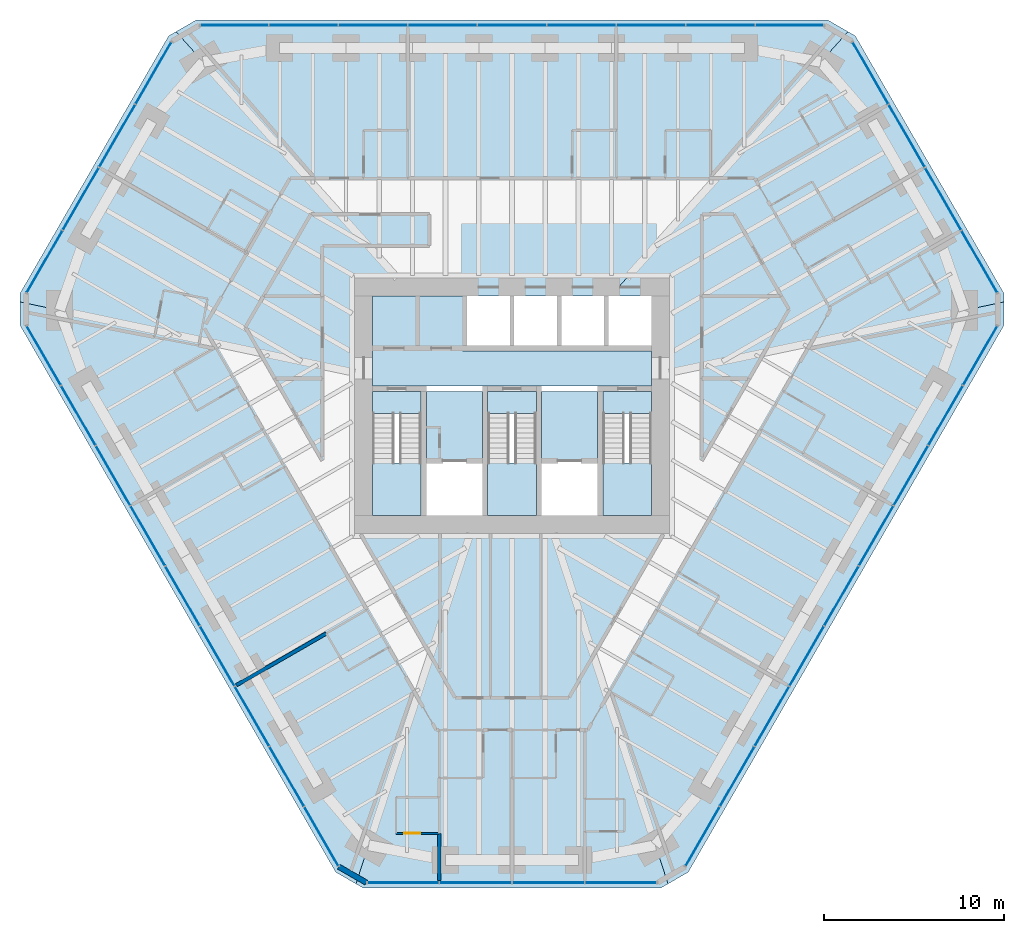
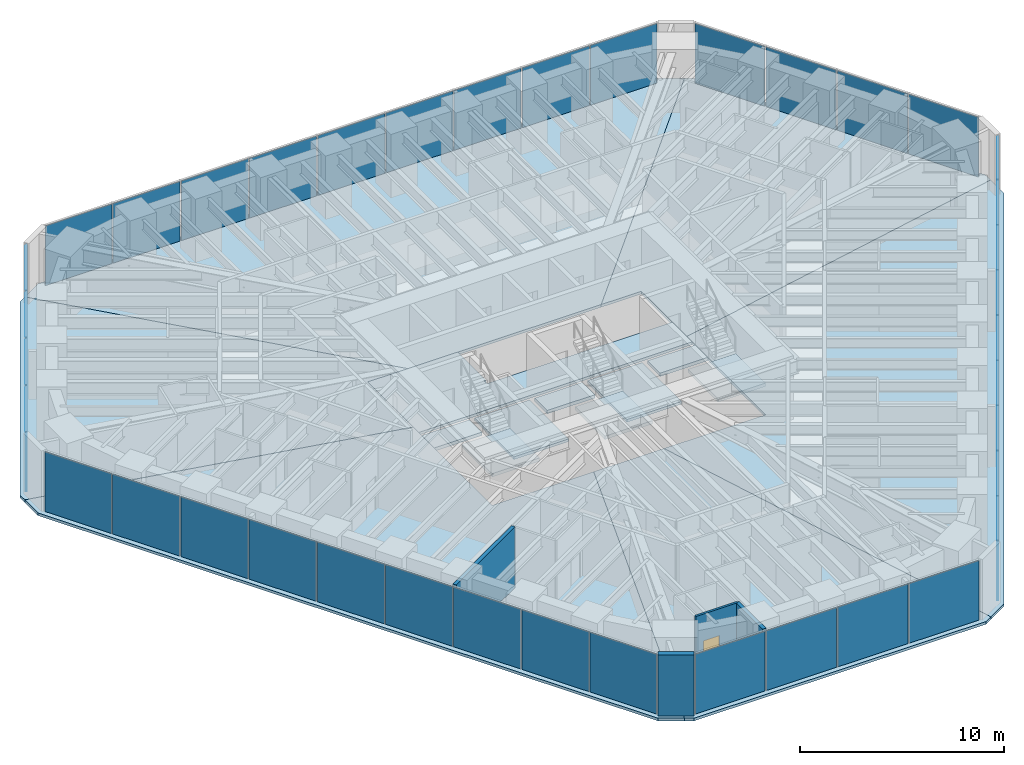
# One storey, part 10 of 17: 39 plates, 15 slabs, 4 walls, 1 door, 1 opening, 9 elements without a shape of their own.
"""IFC4 building model written with IfcOpenShell, lengths in metres."""

from ifc_helpers import new_model, si_unit, direction, frame, frame_2d, origin, origin_2d, place, context, subcontext, project, spatial, polyline, rectangle, outline, extrude, material, layer, layer_set, type_object, element, fill, aggregate, save


model = new_model("IFC4")

# Units and contexts
model_context = context("Model", 3, precision=1e-05, world=origin(), true_north=direction((0.0, 1.0)))
body_context = subcontext(model_context, "Body", "Model", "MODEL_VIEW")
ifc_project = project(units=[si_unit("LENGTHUNIT", "METRE"), si_unit("AREAUNIT", "SQUARE_METRE"), si_unit("VOLUMEUNIT", "CUBIC_METRE"), si_unit("PLANEANGLEUNIT", "RADIAN"), si_unit("MASSUNIT", "GRAM", prefix="KILO")], contexts=[model_context])

# Site, building, storey
site_placement = place(None, origin())
site = spatial("IfcSite", under=ifc_project, at=site_placement, CompositionType="ELEMENT")
building_placement = place(site_placement, origin())
building = spatial("IfcBuilding", under=site, at=building_placement, Name="Sandreach Pilgrim Tower", CompositionType="ELEMENT")
storey_placement = place(building_placement, frame((0.0, 0.0, 213.60009765625)))
storey = spatial("IfcBuildingStorey", under=building, at=storey_placement, Name="L53", CompositionType="ELEMENT", Elevation=213.60009765625)

# Curtain wall, plates
ifc_material_1 = material(Name="Aluminium framed curtain wall", Category="aluminium")
curtain_wall_type = type_object("IfcCurtainWallType", Name="Upper hotel tower curtain wall", PredefinedType="NOTDEFINED", material=ifc_material_1)
curtain_wall_1_placement = place(storey_placement, origin())
curtain_wall_1 = element("IfcCurtainWall", 1, at=curtain_wall_1_placement, inside=storey, type_object=curtain_wall_type, Name="CW-3 L53 N", PredefinedType="NOTDEFINED")
ifc_material_2 = material(Name="Insulating glass unit 12.76 laminated + 20 argon + 12.76 laminated", Category="glass")
ifc_layer_1 = layer(ifc_material_2, 0.0458984375)
ifc_layer_set_1 = layer_set([ifc_layer_1], Name="CW-3 panel")
plate_type = type_object("IfcPlateType", Name="CW-3 panel", PredefinedType="CURTAIN_PANEL", material=ifc_layer_set_1)
plate_1_placement = place(storey_placement, frame((-15.44140625, 21.16015625, 0.0), z_axis=(0.0, 0.0, 1.0), x_axis=(1.0, 0.0, 0.0)))
plate_1 = element("IfcPlate", 2, at=plate_1_placement, type_object=plate_type, Name="CW-3 panel 1", PredefinedType="CURTAIN_PANEL", context=body_context, shape_type="SweptSolid", body=[
    extrude(rectangle(XDim=3.766845703125, YDim=0.0458984375, at=origin_2d()), origin(), (0.0, 0.0, 1.0), 3.570068359375),
])
plate_2_placement = place(storey_placement, frame((-11.59326171875, 21.16015625, 0.0), z_axis=(0.0, 0.0, 1.0), x_axis=(1.0, 0.0, 0.0)))
plate_2 = element("IfcPlate", 3, at=plate_2_placement, type_object=plate_type, Name="CW-3 panel 2", PredefinedType="CURTAIN_PANEL", context=body_context, shape_type="SweptSolid", body=[
    extrude(rectangle(XDim=3.79931640625, YDim=0.0458984375, at=origin_2d()), origin(), (0.0, 0.0, 1.0), 3.570068359375),
])
plate_3_placement = place(storey_placement, frame((-7.728759765625, 21.16015625, 0.0), z_axis=(0.0, 0.0, 1.0), x_axis=(1.0, 0.0, 0.0)))
plate_3 = element("IfcPlate", 4, at=plate_3_placement, type_object=plate_type, Name="CW-3 panel 3", PredefinedType="CURTAIN_PANEL", context=body_context, shape_type="SweptSolid", body=[
    extrude(rectangle(XDim=3.79931640625, YDim=0.0458984375, at=origin_2d()), origin(), (0.0, 0.0, 1.0), 3.570068359375),
])
plate_4_placement = place(storey_placement, frame((-3.864501953125, 21.16015625, 0.0), z_axis=(0.0, 0.0, 1.0), x_axis=(1.0, 0.0, 0.0)))
plate_4 = element("IfcPlate", 5, at=plate_4_placement, type_object=plate_type, Name="CW-3 panel 4", PredefinedType="CURTAIN_PANEL", context=body_context, shape_type="SweptSolid", body=[
    extrude(rectangle(XDim=3.79931640625, YDim=0.0458984375, at=origin_2d()), origin(), (0.0, 0.0, 1.0), 3.570068359375),
])
plate_5_placement = place(storey_placement, frame((0.0, 21.16015625, 0.0), z_axis=(0.0, 0.0, 1.0), x_axis=(1.0, 0.0, 0.0)))
plate_5 = element("IfcPlate", 6, at=plate_5_placement, type_object=plate_type, Name="CW-3 panel 5", PredefinedType="CURTAIN_PANEL", context=body_context, shape_type="SweptSolid", body=[
    extrude(rectangle(XDim=3.79931640625, YDim=0.0458984375, at=origin_2d()), origin(), (0.0, 0.0, 1.0), 3.570068359375),
])
plate_6_placement = place(storey_placement, frame((3.864501953125, 21.16015625, 0.0), z_axis=(0.0, 0.0, 1.0), x_axis=(1.0, 0.0, 0.0)))
plate_6 = element("IfcPlate", 7, at=plate_6_placement, type_object=plate_type, Name="CW-3 panel 6", PredefinedType="CURTAIN_PANEL", context=body_context, shape_type="SweptSolid", body=[
    extrude(rectangle(XDim=3.79931640625, YDim=0.0458984375, at=origin_2d()), origin(), (0.0, 0.0, 1.0), 3.570068359375),
])
plate_7_placement = place(storey_placement, frame((7.728759765625, 21.16015625, 0.0), z_axis=(0.0, 0.0, 1.0), x_axis=(1.0, 0.0, 0.0)))
plate_7 = element("IfcPlate", 8, at=plate_7_placement, type_object=plate_type, Name="CW-3 panel 7", PredefinedType="CURTAIN_PANEL", context=body_context, shape_type="SweptSolid", body=[
    extrude(rectangle(XDim=3.79931640625, YDim=0.0458984375, at=origin_2d()), origin(), (0.0, 0.0, 1.0), 3.570068359375),
])
plate_8_placement = place(storey_placement, frame((11.59326171875, 21.16015625, 0.0), z_axis=(0.0, 0.0, 1.0), x_axis=(1.0, 0.0, 0.0)))
plate_8 = element("IfcPlate", 9, at=plate_8_placement, type_object=plate_type, Name="CW-3 panel 8", PredefinedType="CURTAIN_PANEL", context=body_context, shape_type="SweptSolid", body=[
    extrude(rectangle(XDim=3.79931640625, YDim=0.0458984375, at=origin_2d()), origin(), (0.0, 0.0, 1.0), 3.570068359375),
])
plate_9_placement = place(storey_placement, frame((15.44140625, 21.16015625, 0.0), z_axis=(0.0, 0.0, 1.0), x_axis=(1.0, 0.0, 0.0)))
plate_9 = element("IfcPlate", 10, at=plate_9_placement, type_object=plate_type, Name="CW-3 panel 9", PredefinedType="CURTAIN_PANEL", context=body_context, shape_type="SweptSolid", body=[
    extrude(rectangle(XDim=3.766845703125, YDim=0.0458984375, at=origin_2d()), origin(), (0.0, 0.0, 1.0), 3.570068359375),
])
aggregate(curtain_wall_1, [plate_1, plate_2, plate_3, plate_4, plate_5, plate_6, plate_7, plate_8, plate_9])

curtain_wall_2_placement = place(storey_placement, origin())
curtain_wall_2 = element("IfcCurtainWall", 11, at=curtain_wall_2_placement, inside=storey, type_object=curtain_wall_type, Name="CW-3 L53 NE", PredefinedType="NOTDEFINED")
plate_10_placement = place(storey_placement, frame((19.943115234375, 18.5078125, 0.0), z_axis=(0.0, 0.0, 1.0), x_axis=(0.5, -0.866025403784, 0.0)))
plate_10 = element("IfcPlate", 12, at=plate_10_placement, type_object=plate_type, Name="CW-3 panel 1", PredefinedType="CURTAIN_PANEL", context=body_context, shape_type="SweptSolid", body=[
    extrude(rectangle(XDim=3.951171875, YDim=0.0458984375, at=origin_2d()), origin(), (0.0, 0.0, 1.0), 3.570068359375),
])
plate_11_placement = place(storey_placement, frame((21.959228515625, 15.015625, 0.0), z_axis=(0.0, 0.0, 1.0), x_axis=(0.5, -0.866025403784, 0.0)))
plate_11 = element("IfcPlate", 13, at=plate_11_placement, type_object=plate_type, Name="CW-3 panel 2", PredefinedType="CURTAIN_PANEL", context=body_context, shape_type="SweptSolid", body=[
    extrude(rectangle(XDim=3.983642578125, YDim=0.0458984375, at=origin_2d()), origin(), (0.0, 0.0, 1.0), 3.570068359375),
])
plate_12_placement = place(storey_placement, frame((23.983642578125, 11.509521484375, 0.0), z_axis=(0.0, 0.0, 1.0), x_axis=(0.5, -0.866025403784, 0.0)))
plate_12 = element("IfcPlate", 14, at=plate_12_placement, type_object=plate_type, Name="CW-3 panel 3", PredefinedType="CURTAIN_PANEL", context=body_context, shape_type="SweptSolid", body=[
    extrude(rectangle(XDim=3.983642578125, YDim=0.0458984375, at=origin_2d()), origin(), (0.0, 0.0, 1.0), 3.570068359375),
])
plate_13_placement = place(storey_placement, frame((25.999755859375, 8.017333984375, 0.0), z_axis=(0.0, 0.0, 1.0), x_axis=(0.5, -0.866025403784, 0.0)))
plate_13 = element("IfcPlate", 15, at=plate_13_placement, type_object=plate_type, Name="CW-3 panel 4", PredefinedType="CURTAIN_PANEL", context=body_context, shape_type="SweptSolid", body=[
    extrude(rectangle(XDim=3.951171875, YDim=0.0458984375, at=origin_2d()), origin(), (0.0, 0.0, 1.0), 3.570068359375),
])
aggregate(curtain_wall_2, [plate_10, plate_11, plate_12, plate_13])

curtain_wall_3_placement = place(storey_placement, origin())
curtain_wall_3 = element("IfcCurtainWall", 16, at=curtain_wall_3_placement, inside=storey, type_object=curtain_wall_type, Name="CW-3 L53 SE", PredefinedType="NOTDEFINED")
plate_14_placement = place(storey_placement, frame((26.0458984375, 2.792724609375, 0.0), z_axis=(0.0, 0.0, 1.0), x_axis=(-0.5, -0.866025403784, 0.0)))
plate_14 = element("IfcPlate", 17, at=plate_14_placement, type_object=plate_type, Name="CW-3 panel 1", PredefinedType="CURTAIN_PANEL", context=body_context, shape_type="SweptSolid", body=[
    extrude(rectangle(XDim=3.766845703125, YDim=0.0458984375, at=origin_2d()), origin(), (0.0, 0.0, 1.0), 3.570068359375),
])
plate_15_placement = place(storey_placement, frame((24.121826171875, -0.5400390625, 0.0), z_axis=(0.0, 0.0, 1.0), x_axis=(-0.5, -0.866025403784, 0.0)))
plate_15 = element("IfcPlate", 18, at=plate_15_placement, type_object=plate_type, Name="CW-3 panel 2", PredefinedType="CURTAIN_PANEL", context=body_context, shape_type="SweptSolid", body=[
    extrude(rectangle(XDim=3.79931640625, YDim=0.0458984375, at=origin_2d()), origin(), (0.0, 0.0, 1.0), 3.570068359375),
])
plate_16_placement = place(storey_placement, frame((22.189697265625, -3.88671875, 0.0), z_axis=(0.0, 0.0, 1.0), x_axis=(-0.5, -0.866025403784, 0.0)))
plate_16 = element("IfcPlate", 19, at=plate_16_placement, type_object=plate_type, Name="CW-3 panel 3", PredefinedType="CURTAIN_PANEL", context=body_context, shape_type="SweptSolid", body=[
    extrude(rectangle(XDim=3.79931640625, YDim=0.0458984375, at=origin_2d()), origin(), (0.0, 0.0, 1.0), 3.570068359375),
])
plate_17_placement = place(storey_placement, frame((20.25732421875, -7.2333984375, 0.0), z_axis=(0.0, 0.0, 1.0), x_axis=(-0.5, -0.866025403784, 0.0)))
plate_17 = element("IfcPlate", 20, at=plate_17_placement, type_object=plate_type, Name="CW-3 panel 4", PredefinedType="CURTAIN_PANEL", context=body_context, shape_type="SweptSolid", body=[
    extrude(rectangle(XDim=3.79931640625, YDim=0.0458984375, at=origin_2d()), origin(), (0.0, 0.0, 1.0), 3.570068359375),
])
plate_18_placement = place(storey_placement, frame((18.3251953125, -10.580078125, 0.0), z_axis=(0.0, 0.0, 1.0), x_axis=(-0.5, -0.866025403784, 0.0)))
plate_18 = element("IfcPlate", 21, at=plate_18_placement, type_object=plate_type, Name="CW-3 panel 5", PredefinedType="CURTAIN_PANEL", context=body_context, shape_type="SweptSolid", body=[
    extrude(rectangle(XDim=3.79931640625, YDim=0.0458984375, at=origin_2d()), origin(), (0.0, 0.0, 1.0), 3.570068359375),
])
plate_19_placement = place(storey_placement, frame((16.39306640625, -13.9267578125, 0.0), z_axis=(0.0, 0.0, 1.0), x_axis=(-0.5, -0.866025403784, 0.0)))
plate_19 = element("IfcPlate", 22, at=plate_19_placement, type_object=plate_type, Name="CW-3 panel 6", PredefinedType="CURTAIN_PANEL", context=body_context, shape_type="SweptSolid", body=[
    extrude(rectangle(XDim=3.79931640625, YDim=0.0458984375, at=origin_2d()), origin(), (0.0, 0.0, 1.0), 3.570068359375),
])
plate_20_placement = place(storey_placement, frame((14.460693359375, -17.2734375, 0.0), z_axis=(0.0, 0.0, 1.0), x_axis=(-0.5, -0.866025403784, 0.0)))
plate_20 = element("IfcPlate", 23, at=plate_20_placement, type_object=plate_type, Name="CW-3 panel 7", PredefinedType="CURTAIN_PANEL", context=body_context, shape_type="SweptSolid", body=[
    extrude(rectangle(XDim=3.79931640625, YDim=0.0458984375, at=origin_2d()), origin(), (0.0, 0.0, 1.0), 3.570068359375),
])
plate_21_placement = place(storey_placement, frame((12.528564453125, -20.6201171875, 0.0), z_axis=(0.0, 0.0, 1.0), x_axis=(-0.5, -0.866025403784, 0.0)))
plate_21 = element("IfcPlate", 24, at=plate_21_placement, type_object=plate_type, Name="CW-3 panel 8", PredefinedType="CURTAIN_PANEL", context=body_context, shape_type="SweptSolid", body=[
    extrude(rectangle(XDim=3.79931640625, YDim=0.0458984375, at=origin_2d()), origin(), (0.0, 0.0, 1.0), 3.570068359375),
])
plate_22_placement = place(storey_placement, frame((10.6044921875, -23.95263671875, 0.0), z_axis=(0.0, 0.0, 1.0), x_axis=(-0.5, -0.866025403784, 0.0)))
plate_22 = element("IfcPlate", 25, at=plate_22_placement, type_object=plate_type, Name="CW-3 panel 9", PredefinedType="CURTAIN_PANEL", context=body_context, shape_type="SweptSolid", body=[
    extrude(rectangle(XDim=3.766845703125, YDim=0.0458984375, at=origin_2d()), origin(), (0.0, 0.0, 1.0), 3.570068359375),
])
aggregate(curtain_wall_3, [plate_14, plate_15, plate_16, plate_17, plate_18, plate_19, plate_20, plate_21, plate_22])

curtain_wall_4_placement = place(storey_placement, origin())
curtain_wall_4 = element("IfcCurtainWall", 26, at=curtain_wall_4_placement, inside=storey, type_object=curtain_wall_type, Name="CW-3 L53 S", PredefinedType="NOTDEFINED")
plate_23_placement = place(storey_placement, frame((6.056884765625, -26.525146484375, 0.0), z_axis=(0.0, 0.0, 1.0), x_axis=(-1.0, 0.0, 0.0)))
plate_23 = element("IfcPlate", 27, at=plate_23_placement, type_object=plate_type, Name="CW-3 panel 1", PredefinedType="CURTAIN_PANEL", context=body_context, shape_type="SweptSolid", body=[
    extrude(rectangle(XDim=3.951171875, YDim=0.0458984375, at=origin_2d()), origin(), (0.0, 0.0, 1.0), 3.570068359375),
])
plate_24_placement = place(storey_placement, frame((2.0244140625, -26.525146484375, 0.0), z_axis=(0.0, 0.0, 1.0), x_axis=(-1.0, 0.0, 0.0)))
plate_24 = element("IfcPlate", 28, at=plate_24_placement, type_object=plate_type, Name="CW-3 panel 2", PredefinedType="CURTAIN_PANEL", context=body_context, shape_type="SweptSolid", body=[
    extrude(rectangle(XDim=3.983642578125, YDim=0.0458984375, at=origin_2d()), origin(), (0.0, 0.0, 1.0), 3.570068359375),
])
plate_25_placement = place(storey_placement, frame((-2.0244140625, -26.525146484375, 0.0), z_axis=(0.0, 0.0, 1.0), x_axis=(-1.0, 0.0, 0.0)))
plate_25 = element("IfcPlate", 29, at=plate_25_placement, type_object=plate_type, Name="CW-3 panel 3", PredefinedType="CURTAIN_PANEL", context=body_context, shape_type="SweptSolid", body=[
    extrude(rectangle(XDim=3.983642578125, YDim=0.0458984375, at=origin_2d()), origin(), (0.0, 0.0, 1.0), 3.570068359375),
])
plate_26_placement = place(storey_placement, frame((-6.056884765625, -26.525146484375, 0.0), z_axis=(0.0, 0.0, 1.0), x_axis=(-1.0, 0.0, 0.0)))
plate_26 = element("IfcPlate", 30, at=plate_26_placement, type_object=plate_type, Name="CW-3 panel 4", PredefinedType="CURTAIN_PANEL", context=body_context, shape_type="SweptSolid", body=[
    extrude(rectangle(XDim=3.951171875, YDim=0.0458984375, at=origin_2d()), origin(), (0.0, 0.0, 1.0), 3.570068359375),
])
aggregate(curtain_wall_4, [plate_23, plate_24, plate_25, plate_26])

curtain_wall_5_placement = place(storey_placement, origin())
curtain_wall_5 = element("IfcCurtainWall", 31, at=curtain_wall_5_placement, inside=storey, type_object=curtain_wall_type, Name="CW-3 L53 SW", PredefinedType="NOTDEFINED")
plate_27_placement = place(storey_placement, frame((-10.6044921875, -23.95263671875, 0.0), z_axis=(0.0, 0.0, 1.0), x_axis=(-0.5, 0.866025403784, 0.0)))
plate_27 = element("IfcPlate", 32, at=plate_27_placement, type_object=plate_type, Name="CW-3 panel 1", PredefinedType="CURTAIN_PANEL", context=body_context, shape_type="SweptSolid", body=[
    extrude(rectangle(XDim=3.766845703125, YDim=0.0458984375, at=origin_2d()), origin(), (0.0, 0.0, 1.0), 3.570068359375),
])
plate_28_placement = place(storey_placement, frame((-12.528564453125, -20.6201171875, 0.0), z_axis=(0.0, 0.0, 1.0), x_axis=(-0.5, 0.866025403784, 0.0)))
plate_28 = element("IfcPlate", 33, at=plate_28_placement, type_object=plate_type, Name="CW-3 panel 2", PredefinedType="CURTAIN_PANEL", context=body_context, shape_type="SweptSolid", body=[
    extrude(rectangle(XDim=3.79931640625, YDim=0.0458984375, at=origin_2d()), origin(), (0.0, 0.0, 1.0), 3.570068359375),
])
plate_29_placement = place(storey_placement, frame((-14.460693359375, -17.2734375, 0.0), z_axis=(0.0, 0.0, 1.0), x_axis=(-0.5, 0.866025403784, 0.0)))
plate_29 = element("IfcPlate", 34, at=plate_29_placement, type_object=plate_type, Name="CW-3 panel 3", PredefinedType="CURTAIN_PANEL", context=body_context, shape_type="SweptSolid", body=[
    extrude(rectangle(XDim=3.79931640625, YDim=0.0458984375, at=origin_2d()), origin(), (0.0, 0.0, 1.0), 3.570068359375),
])
plate_30_placement = place(storey_placement, frame((-16.39306640625, -13.9267578125, 0.0), z_axis=(0.0, 0.0, 1.0), x_axis=(-0.5, 0.866025403784, 0.0)))
plate_30 = element("IfcPlate", 35, at=plate_30_placement, type_object=plate_type, Name="CW-3 panel 4", PredefinedType="CURTAIN_PANEL", context=body_context, shape_type="SweptSolid", body=[
    extrude(rectangle(XDim=3.79931640625, YDim=0.0458984375, at=origin_2d()), origin(), (0.0, 0.0, 1.0), 3.570068359375),
])
plate_31_placement = place(storey_placement, frame((-18.3251953125, -10.580078125, 0.0), z_axis=(0.0, 0.0, 1.0), x_axis=(-0.5, 0.866025403784, 0.0)))
plate_31 = element("IfcPlate", 36, at=plate_31_placement, type_object=plate_type, Name="CW-3 panel 5", PredefinedType="CURTAIN_PANEL", context=body_context, shape_type="SweptSolid", body=[
    extrude(rectangle(XDim=3.79931640625, YDim=0.0458984375, at=origin_2d()), origin(), (0.0, 0.0, 1.0), 3.570068359375),
])
plate_32_placement = place(storey_placement, frame((-20.25732421875, -7.2333984375, 0.0), z_axis=(0.0, 0.0, 1.0), x_axis=(-0.5, 0.866025403784, 0.0)))
plate_32 = element("IfcPlate", 37, at=plate_32_placement, type_object=plate_type, Name="CW-3 panel 6", PredefinedType="CURTAIN_PANEL", context=body_context, shape_type="SweptSolid", body=[
    extrude(rectangle(XDim=3.79931640625, YDim=0.0458984375, at=origin_2d()), origin(), (0.0, 0.0, 1.0), 3.570068359375),
])
plate_33_placement = place(storey_placement, frame((-22.189697265625, -3.88671875, 0.0), z_axis=(0.0, 0.0, 1.0), x_axis=(-0.5, 0.866025403784, 0.0)))
plate_33 = element("IfcPlate", 38, at=plate_33_placement, type_object=plate_type, Name="CW-3 panel 7", PredefinedType="CURTAIN_PANEL", context=body_context, shape_type="SweptSolid", body=[
    extrude(rectangle(XDim=3.79931640625, YDim=0.0458984375, at=origin_2d()), origin(), (0.0, 0.0, 1.0), 3.570068359375),
])
plate_34_placement = place(storey_placement, frame((-24.121826171875, -0.5400390625, 0.0), z_axis=(0.0, 0.0, 1.0), x_axis=(-0.5, 0.866025403784, 0.0)))
plate_34 = element("IfcPlate", 39, at=plate_34_placement, type_object=plate_type, Name="CW-3 panel 8", PredefinedType="CURTAIN_PANEL", context=body_context, shape_type="SweptSolid", body=[
    extrude(rectangle(XDim=3.79931640625, YDim=0.0458984375, at=origin_2d()), origin(), (0.0, 0.0, 1.0), 3.570068359375),
])
plate_35_placement = place(storey_placement, frame((-26.0458984375, 2.792724609375, 0.0), z_axis=(0.0, 0.0, 1.0), x_axis=(-0.5, 0.866025403784, 0.0)))
plate_35 = element("IfcPlate", 40, at=plate_35_placement, type_object=plate_type, Name="CW-3 panel 9", PredefinedType="CURTAIN_PANEL", context=body_context, shape_type="SweptSolid", body=[
    extrude(rectangle(XDim=3.766845703125, YDim=0.0458984375, at=origin_2d()), origin(), (0.0, 0.0, 1.0), 3.570068359375),
])
aggregate(curtain_wall_5, [plate_27, plate_28, plate_29, plate_30, plate_31, plate_32, plate_33, plate_34, plate_35])

curtain_wall_6_placement = place(storey_placement, origin())
curtain_wall_6 = element("IfcCurtainWall", 41, at=curtain_wall_6_placement, inside=storey, type_object=curtain_wall_type, Name="CW-3 L53 NW", PredefinedType="NOTDEFINED")
plate_36_placement = place(storey_placement, frame((-25.999755859375, 8.017333984375, 0.0), z_axis=(0.0, 0.0, 1.0), x_axis=(0.5, 0.866025403784, 0.0)))
plate_36 = element("IfcPlate", 42, at=plate_36_placement, type_object=plate_type, Name="CW-3 panel 1", PredefinedType="CURTAIN_PANEL", context=body_context, shape_type="SweptSolid", body=[
    extrude(rectangle(XDim=3.951171875, YDim=0.0458984375, at=origin_2d()), origin(), (0.0, 0.0, 1.0), 3.570068359375),
])
plate_37_placement = place(storey_placement, frame((-23.983642578125, 11.509521484375, 0.0), z_axis=(0.0, 0.0, 1.0), x_axis=(0.5, 0.866025403784, 0.0)))
plate_37 = element("IfcPlate", 43, at=plate_37_placement, type_object=plate_type, Name="CW-3 panel 2", PredefinedType="CURTAIN_PANEL", context=body_context, shape_type="SweptSolid", body=[
    extrude(rectangle(XDim=3.983642578125, YDim=0.0458984375, at=origin_2d()), origin(), (0.0, 0.0, 1.0), 3.570068359375),
])
plate_38_placement = place(storey_placement, frame((-21.959228515625, 15.015625, 0.0), z_axis=(0.0, 0.0, 1.0), x_axis=(0.5, 0.866025403784, 0.0)))
plate_38 = element("IfcPlate", 44, at=plate_38_placement, type_object=plate_type, Name="CW-3 panel 3", PredefinedType="CURTAIN_PANEL", context=body_context, shape_type="SweptSolid", body=[
    extrude(rectangle(XDim=3.983642578125, YDim=0.0458984375, at=origin_2d()), origin(), (0.0, 0.0, 1.0), 3.570068359375),
])
plate_39_placement = place(storey_placement, frame((-19.943115234375, 18.5078125, 0.0), z_axis=(0.0, 0.0, 1.0), x_axis=(0.5, 0.866025403784, 0.0)))
plate_39 = element("IfcPlate", 45, at=plate_39_placement, type_object=plate_type, Name="CW-3 panel 4", PredefinedType="CURTAIN_PANEL", context=body_context, shape_type="SweptSolid", body=[
    extrude(rectangle(XDim=3.951171875, YDim=0.0458984375, at=origin_2d()), origin(), (0.0, 0.0, 1.0), 3.570068359375),
])
aggregate(curtain_wall_6, [plate_36, plate_37, plate_38, plate_39])

# Slabs
ifc_material_3 = material(Name="Concrete 8000 psi", Category="concrete")
ifc_layer_2 = layer(ifc_material_3, 0.159912109375)
ifc_layer_set_2 = layer_set([ifc_layer_2], Name="Composite floor slab 160")
slab_type_1 = type_object("IfcSlabType", Name="Composite floor slab 160", PredefinedType="FLOOR", material=ifc_layer_set_2)
slab_1_placement = place(storey_placement, frame((0.0, 0.0, -0.16015625)))
element("IfcSlab", 46, at=slab_1_placement, inside=storey, type_object=slab_type_1, Name="Floor slab L53 N sector", PredefinedType="FLOOR", context=body_context, shape_type="SweptSolid", body=[
    extrude(outline(polyline([(-17.56298828125, 21.460205078125), (17.56298828125, 21.460205078125), (18.68701171875, 20.81103515625), (5.477294921875, 6.10009765625), (-5.477294921875, 6.10009765625), (-18.68701171875, 20.81103515625), (-17.56298828125, 21.460205078125)])), origin(), (0.0, 0.0, 1.0), 0.16015625),
])
slab_2_placement = place(storey_placement, frame((0.0, 0.0, -0.16015625)))
element("IfcSlab", 47, at=slab_2_placement, inside=storey, type_object=slab_type_1, Name="Floor slab L53 NE sector", PredefinedType="FLOOR", context=body_context, shape_type="SweptSolid", body=[
    extrude(outline(polyline([(19.095947265625, 20.5751953125), (27.366455078125, 6.25), (27.366455078125, 5.778076171875), (7.75, 1.63623046875), (7.75, 6.10009765625), (5.477294921875, 6.10009765625), (18.68701171875, 20.81103515625), (19.095947265625, 20.5751953125)])), origin(), (0.0, 0.0, 1.0), 0.16015625),
])
slab_3_placement = place(storey_placement, frame((0.0, 0.0, -0.16015625)))
element("IfcSlab", 48, at=slab_3_placement, inside=storey, type_object=slab_type_1, Name="Floor slab L53 SE sector", PredefinedType="FLOOR", context=body_context, shape_type="SweptSolid", body=[
    extrude(outline(polyline([(27.366455078125, 4.47998046875), (9.803466796875, -25.940185546875), (8.679443359375, -26.589111328125), (1.9912109375, -6.10009765625), (7.75, -6.10009765625), (7.75, 1.63623046875), (27.366455078125, 5.778076171875), (27.366455078125, 4.47998046875)])), origin(), (0.0, 0.0, 1.0), 0.16015625),
])
slab_4_placement = place(storey_placement, frame((0.0, 0.0, -0.16015625)))
element("IfcSlab", 49, at=slab_4_placement, inside=storey, type_object=slab_type_1, Name="Floor slab L53 S sector", PredefinedType="FLOOR", context=body_context, shape_type="SweptSolid", body=[
    extrude(outline(polyline([(8.2705078125, -26.8251953125), (-8.2705078125, -26.8251953125), (-8.679443359375, -26.589111328125), (-1.9912109375, -6.10009765625), (1.9912109375, -6.10009765625), (8.679443359375, -26.589111328125), (8.2705078125, -26.8251953125)])), origin(), (0.0, 0.0, 1.0), 0.16015625),
])
slab_5_placement = place(storey_placement, frame((0.0, 0.0, -0.16015625)))
element("IfcSlab", 50, at=slab_5_placement, inside=storey, type_object=slab_type_1, Name="Floor slab L53 SW sector", PredefinedType="FLOOR", context=body_context, shape_type="SweptSolid", body=[
    extrude(outline(polyline([(-9.803466796875, -25.940185546875), (-27.366455078125, 4.47998046875), (-27.366455078125, 5.778076171875), (-7.75, 1.63623046875), (-7.75, -6.10009765625), (-1.9912109375, -6.10009765625), (-8.679443359375, -26.589111328125), (-9.803466796875, -25.940185546875)])), origin(), (0.0, 0.0, 1.0), 0.16015625),
])
slab_6_placement = place(storey_placement, frame((0.0, 0.0, -0.16015625)))
element("IfcSlab", 51, at=slab_6_placement, inside=storey, type_object=slab_type_1, Name="Floor slab L53 NW sector", PredefinedType="FLOOR", context=body_context, shape_type="SweptSolid", body=[
    extrude(outline(polyline([(-27.366455078125, 6.25), (-19.095947265625, 20.5751953125), (-18.68701171875, 20.81103515625), (-5.477294921875, 6.10009765625), (-7.75, 6.10009765625), (-7.75, 1.63623046875), (-27.366455078125, 5.778076171875), (-27.366455078125, 6.25)])), origin(), (0.0, 0.0, 1.0), 0.16015625),
])
slab_7_placement = place(storey_placement, frame((0.0, 0.0, -0.16015625)))
element("IfcSlab", 52, at=slab_7_placement, inside=storey, type_object=slab_type_1, Name="Core floor slab L53", PredefinedType="FLOOR", context=body_context, shape_type="SweptSolid", body=[
    extrude(outline(polyline([(-2.75, 3.35009765625), (-2.75, 3.050048828125), (-0.125, 3.050048828125), (0.125, 3.050048828125), (2.5, 3.050048828125), (2.75, 3.050048828125), (5.125, 3.050048828125), (5.375, 3.050048828125), (7.75, 3.050048828125), (7.75, 1.10009765625), (5.050048828125, 1.10009765625), (4.75, 1.10009765625), (1.64990234375, 1.10009765625), (1.35009765625, 1.10009765625), (-1.35009765625, 1.10009765625), (-1.64990234375, 1.10009765625), (-4.75, 1.10009765625), (-5.050048828125, 1.10009765625), (-7.75, 1.10009765625), (-7.75, 6.10009765625), (-2.64990234375, 6.10009765625), (-2.64990234375, 3.35009765625), (-2.75, 3.35009765625)])), origin(), (0.0, 0.0, 1.0), 0.16015625),
])
slab_8_placement = place(storey_placement, frame((0.0, 0.0, -0.16015625)))
element("IfcSlab", 53, at=slab_8_placement, inside=storey, type_object=slab_type_1, Name="Core floor slab L53 2", PredefinedType="FLOOR", context=body_context, shape_type="SweptSolid", body=[
    extrude(outline(polyline([(-1.64990234375, -3.050048828125), (-4.75, -3.050048828125), (-4.75, 0.800048828125), (-1.64990234375, 0.800048828125), (-1.64990234375, -3.050048828125)])), origin(), (0.0, 0.0, 1.0), 0.16015625),
])
slab_9_placement = place(storey_placement, frame((0.0, 0.0, -0.16015625)))
element("IfcSlab", 54, at=slab_9_placement, inside=storey, type_object=slab_type_1, Name="Core floor slab L53 3", PredefinedType="FLOOR", context=body_context, shape_type="SweptSolid", body=[
    extrude(outline(polyline([(4.75, -3.050048828125), (1.64990234375, -3.050048828125), (1.64990234375, 0.800048828125), (4.75, 0.800048828125), (4.75, -3.050048828125)])), origin(), (0.0, 0.0, 1.0), 0.16015625),
])

# Stair, slabs
ifc_material_4 = material(Name="Concrete 8000 psi", Category="concrete")
stair_type = type_object("IfcStairType", Name="Core exit stair", PredefinedType="HALF_TURN_STAIR", material=ifc_material_4)
stair_1_placement = place(storey_placement, origin())
stair_1 = element("IfcStair", 55, at=stair_1_placement, inside=storey, type_object=stair_type, Name="Exit stair ST1 L53", PredefinedType="HALF_TURN_STAIR")
ifc_material_5 = material(Name="Concrete 8000 psi", Category="concrete")
ifc_layer_3 = layer(ifc_material_5, 0.199951171875)
ifc_layer_set_3 = layer_set([ifc_layer_3], Name="Core stair landing 200")
slab_type_2 = type_object("IfcSlabType", Name="Core stair landing 200", PredefinedType="LANDING", material=ifc_layer_set_3)
slab_10_placement = place(storey_placement, frame((0.0, 0.0, -0.2001953125)))
slab_10 = element("IfcSlab", 56, at=slab_10_placement, type_object=slab_type_2, Name="ST1 landing 1", PredefinedType="LANDING", context=body_context, shape_type="SweptSolid", body=[
    extrude(outline(polyline([(-7.75, -0.425048828125), (-5.050048828125, -0.425048828125), (-5.050048828125, 0.800048828125), (-7.75, 0.800048828125), (-7.75, -0.425048828125)])), origin(), (0.0, 0.0, 1.0), 0.2001953125),
])
slab_11_placement = place(storey_placement, frame((0.0, 0.0, 1.699951171875)))
slab_11 = element("IfcSlab", 57, at=slab_11_placement, type_object=slab_type_2, Name="ST1 landing 2", PredefinedType="LANDING", context=body_context, shape_type="SweptSolid", body=[
    extrude(outline(polyline([(-7.75, -6.10009765625), (-5.050048828125, -6.10009765625), (-5.050048828125, -3.175048828125), (-7.75, -3.175048828125), (-7.75, -6.10009765625)])), origin(), (0.0, 0.0, 1.0), 0.199951171875),
])
aggregate(stair_1, [slab_10, slab_11])

stair_2_placement = place(storey_placement, origin())
stair_2 = element("IfcStair", 58, at=stair_2_placement, inside=storey, type_object=stair_type, Name="Exit stair ST3 L53", PredefinedType="HALF_TURN_STAIR")
slab_12_placement = place(storey_placement, frame((0.0, 0.0, -0.2001953125)))
slab_12 = element("IfcSlab", 59, at=slab_12_placement, type_object=slab_type_2, Name="ST3 landing 1", PredefinedType="LANDING", context=body_context, shape_type="SweptSolid", body=[
    extrude(outline(polyline([(-1.35009765625, -0.425048828125), (1.35009765625, -0.425048828125), (1.35009765625, 0.800048828125), (-1.35009765625, 0.800048828125), (-1.35009765625, -0.425048828125)])), origin(), (0.0, 0.0, 1.0), 0.2001953125),
])
slab_13_placement = place(storey_placement, frame((0.0, 0.0, 1.699951171875)))
slab_13 = element("IfcSlab", 60, at=slab_13_placement, type_object=slab_type_2, Name="ST3 landing 2", PredefinedType="LANDING", context=body_context, shape_type="SweptSolid", body=[
    extrude(outline(polyline([(-1.35009765625, -6.10009765625), (1.35009765625, -6.10009765625), (1.35009765625, -3.175048828125), (-1.35009765625, -3.175048828125), (-1.35009765625, -6.10009765625)])), origin(), (0.0, 0.0, 1.0), 0.199951171875),
])
aggregate(stair_2, [slab_12, slab_13])

stair_3_placement = place(storey_placement, origin())
stair_3 = element("IfcStair", 61, at=stair_3_placement, inside=storey, type_object=stair_type, Name="Exit stair ST2 L53", PredefinedType="HALF_TURN_STAIR")
slab_14_placement = place(storey_placement, frame((0.0, 0.0, -0.2001953125)))
slab_14 = element("IfcSlab", 62, at=slab_14_placement, type_object=slab_type_2, Name="ST2 landing 1", PredefinedType="LANDING", context=body_context, shape_type="SweptSolid", body=[
    extrude(outline(polyline([(5.050048828125, -0.425048828125), (7.75, -0.425048828125), (7.75, 0.800048828125), (5.050048828125, 0.800048828125), (5.050048828125, -0.425048828125)])), origin(), (0.0, 0.0, 1.0), 0.2001953125),
])
slab_15_placement = place(storey_placement, frame((0.0, 0.0, 1.699951171875)))
slab_15 = element("IfcSlab", 63, at=slab_15_placement, type_object=slab_type_2, Name="ST2 landing 2", PredefinedType="LANDING", context=body_context, shape_type="SweptSolid", body=[
    extrude(outline(polyline([(5.050048828125, -6.10009765625), (7.75, -6.10009765625), (7.75, -3.175048828125), (5.050048828125, -3.175048828125), (5.050048828125, -6.10009765625)])), origin(), (0.0, 0.0, 1.0), 0.199951171875),
])
aggregate(stair_3, [slab_14, slab_15])

# Wall, opening, door
ifc_material_6 = material(Name="Moisture-resistant gypsum board on steel studs", Category="steel")
ifc_layer_4 = layer(ifc_material_6, 0.1201171875)
ifc_layer_set_4 = layer_set([ifc_layer_4], Name="Bathroom partition 120")
wall_type_1 = type_object("IfcWallType", Name="Bathroom partition 120", PredefinedType="PARTITIONING", material=ifc_layer_set_4)
wall_1_placement = place(storey_placement, frame((-6.449951171875, -23.780029296875, 0.0), z_axis=(0.0, 0.0, 1.0), x_axis=(1.0, 0.0, 0.0)))
wall_1 = element("IfcWall", 64, at=wall_1_placement, inside=storey, type_object=wall_type_1, Name="Bathroom partition L53-048", PredefinedType="PARTITIONING", context=body_context, shape_type="SweptSolid", body=[
    extrude(rectangle(XDim=2.39990234375, YDim=0.1201171875, at=frame_2d((1.199951171875, 0.0))), origin(), (0.0, 0.0, 1.0), 3.639892578125),
])
opening_placement = place(wall_1_placement, frame((0.449951171875, 0.0, 0.0)))
opening = element("IfcOpeningElement", 65, at=opening_placement, cuts=wall_1, Name="Opening D09-14B", PredefinedType="OPENING", context=body_context, shape_type="SweptSolid", body=[
    extrude(rectangle(XDim=0.89990234375, YDim=2.030029296875, at=frame_2d((0.449951171875, 1.01513671875))), frame((0.0, 0.06005859375, 0.0), z_axis=(0.0, -1.0, 0.0), x_axis=(1.0, 0.0, 0.0)), (0.0, 0.0, 1.0), 0.1201171875),
])
ifc_material_7 = material(Name="Timber door, steel frame", Category="steel")
door_type = type_object("IfcDoorType", Name="Bathroom door", OperationType="SINGLE_SWING_LEFT", PredefinedType="DOOR", material=ifc_material_7)
door_placement = place(opening_placement, origin())
door = element("IfcDoor", 66, at=door_placement, inside=storey, type_object=door_type, Name="Door 5314B", OperationType="SINGLE_SWING_LEFT", OverallHeight=2.030029296875, OverallWidth=0.89990234375, PredefinedType="DOOR", context=body_context, shape_type="SweptSolid", body=[
    extrude(rectangle(XDim=0.89990234375, YDim=2.030029296875, at=frame_2d((0.449951171875, 1.01513671875))), frame((0.0, 0.02490234375, 0.0), z_axis=(0.0, -1.0, 0.0), x_axis=(1.0, 0.0, 0.0)), (0.0, 0.0, 1.0), 0.050048828125),
])
fill(opening, door)

# Walls
ifc_material_8 = material(Name="Double steel stud acoustic wall, gypsum board", Category="steel")
ifc_layer_5 = layer(ifc_material_8, 0.199951171875)
ifc_layer_set_5 = layer_set([ifc_layer_5], Name="Party wall 200")
wall_type_2 = type_object("IfcWallType", Name="Party wall 200", PredefinedType="PARTITIONING", material=ifc_layer_set_5)
wall_2_placement = place(storey_placement, frame((-15.325927734375, -15.5400390625, 0.0), z_axis=(0.0, 0.0, 1.0), x_axis=(0.866342721203, 0.499449986905, 0.0)))
element("IfcWall", 67, at=wall_2_placement, inside=storey, type_object=wall_type_2, Name="Party wall L53-018", PredefinedType="PARTITIONING", context=body_context, shape_type="SweptSolid", body=[
    extrude(rectangle(XDim=5.7666015625, YDim=0.199951171875, at=frame_2d((2.88330078125, 0.0))), origin(), (0.0, 0.0, 1.0), 3.639892578125),
])
wall_3_placement = place(storey_placement, frame((-4.050048828125, -26.409912109375, 0.0), z_axis=(0.0, 0.0, 1.0), x_axis=(0.0, 1.0, 0.0)))
element("IfcWall", 68, at=wall_3_placement, inside=storey, type_object=wall_type_2, Name="Party wall L53-058", PredefinedType="PARTITIONING", context=body_context, shape_type="SweptSolid", body=[
    extrude(rectangle(XDim=2.6298828125, YDim=0.199951171875, at=frame_2d((1.31494140625, 0.0))), origin(), (0.0, 0.0, 1.0), 3.639892578125),
])
ifc_material_9 = material(Name="Terracotta rainscreen on concrete", Category="masonry")
ifc_layer_6 = layer(ifc_material_9, 0.300048828125)
ifc_layer_set_6 = layer_set([ifc_layer_6], Name="Terracotta chamfer pier")
wall_type_3 = type_object("IfcWallType", Name="Terracotta chamfer pier", PredefinedType="SOLIDWALL", material=ifc_layer_set_6)
wall_4_placement = place(storey_placement, frame((-8.097412109375, -26.525146484375, 0.0), z_axis=(0.0, 0.0, 1.0), x_axis=(-0.866036293601, 0.499981137809, 0.0)))
element("IfcWall", 69, at=wall_4_placement, inside=storey, type_object=wall_type_3, Name="Chamfer pier L53 S", PredefinedType="SOLIDWALL", context=body_context, shape_type="SweptSolid", body=[
    extrude(rectangle(XDim=1.77001953125, YDim=0.300048828125, at=frame_2d((0.885009765625, 0.0))), origin(), (0.0, 0.0, 1.0), 3.639892578125),
])

save(model, "model.ifc")
